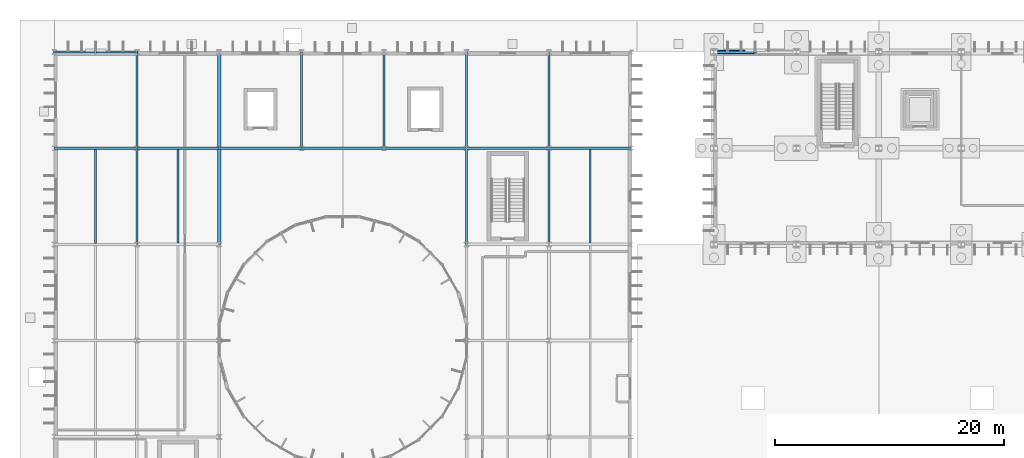
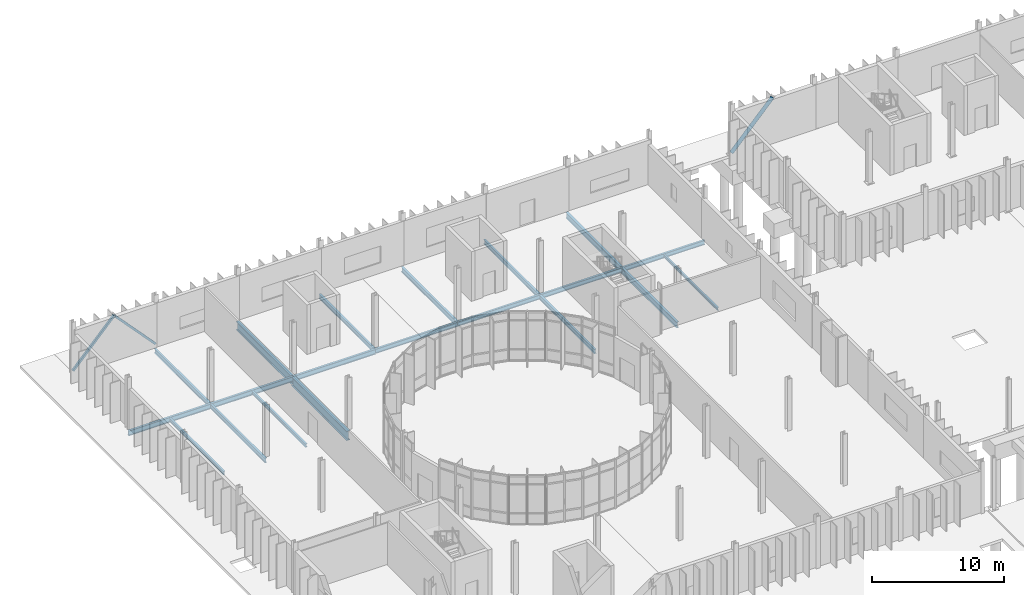
# One storey, part 43 of 118: 20 beams, 3 members.
"""IFC4 building model written with IfcOpenShell, lengths in metres."""

import ifcopenshell
import ifcopenshell.guid

model = None  # the IFC model being written
_history = None  # IfcOwnerHistory: only IFC2X3 demands one
_inside = {}  # id of a spatial element -> (the spatial element, [elements in it])
_under = {}  # id of a project, library or spatial element -> (it, [spatial elements below it])
_declared = {}  # id of a project -> (the project, [libraries it declares])
_typed = {}  # id of a type object -> (the type object, [elements of that type])
_made_of = {}  # id of a material, layer set ... -> (it, [elements and type objects made of it])


def new_model(schema):
    """Start an empty IFC model of exactly this schema.

    Asked for "IFC4X3", IfcOpenShell would pick the latest addendum, in which some entities
    have other attributes; the version numbers below select the first issue.
    IFC2X3 requires an IfcOwnerHistory on every rooted entity: one is made here for all.
    """
    global model, _history
    if schema == "IFC4X3":
        model = ifcopenshell.file(schema_version=(4, 3, 0, 0))
    else:
        model = ifcopenshell.file(schema=schema)
    _inside.clear()
    _under.clear()
    _declared.clear()
    _typed.clear()
    _made_of.clear()
    _history = None
    if model.schema == "IFC2X3":
        org = make("IfcOrganization", Name="unknown")
        user = make(
            "IfcPersonAndOrganization",
            ThePerson=make("IfcPerson", FamilyName="unknown"),
            TheOrganization=org,
        )
        app = make(
            "IfcApplication",
            ApplicationDeveloper=org,
            Version="unknown",
            ApplicationFullName="unknown",
            ApplicationIdentifier="unknown",
        )
        _history = make(
            "IfcOwnerHistory",
            OwningUser=user,
            OwningApplication=app,
            ChangeAction="ADDED",
            CreationDate=0,
        )
    return model


def make(cls, **values):
    """One entity of the class cls with the attributes given. An attribute that is None is left unset."""
    return model.create_entity(
        cls, **{name: value for name, value in values.items() if value is not None}
    )


def rooted(cls, **values):
    """An entity with a GlobalId (a new one), such as an element, a storey or a relation."""
    return make(cls, GlobalId=ifcopenshell.guid.new(), OwnerHistory=_history, **values)


def si_unit(unit_type, name, prefix=None):
    """IfcSIUnit, for example si_unit("LENGTHUNIT", "METRE", prefix="MILLI")."""
    return make("IfcSIUnit", UnitType=unit_type, Prefix=prefix, Name=name)


def assignment(units):
    """IfcUnitAssignment: the units of a project."""
    return None if units is None else make("IfcUnitAssignment", Units=units)


def point(xyz):
    """IfcCartesianPoint."""
    return None if xyz is None else make("IfcCartesianPoint", Coordinates=xyz)


def direction(xyz):
    """IfcDirection."""
    return None if xyz is None else make("IfcDirection", DirectionRatios=xyz)


def frame(location, z_axis=None, x_axis=None):
    """IfcAxis2Placement3D, a coordinate frame: its origin and axes. An axis left out is left unset."""
    return make(
        "IfcAxis2Placement3D",
        Location=point(location),
        Axis=direction(z_axis),
        RefDirection=direction(x_axis),
    )


def frame_2d(location, x_axis=None):
    """IfcAxis2Placement2D, a coordinate frame in the plane: its origin and x axis."""
    return make(
        "IfcAxis2Placement2D", Location=point(location), RefDirection=direction(x_axis)
    )


def origin():
    """The frame at (0, 0, 0) with its axes left unset."""
    return frame((0.0, 0.0, 0.0))


def origin_2d():
    """The frame at (0, 0) in the plane with its x axis left unset."""
    return frame_2d((0.0, 0.0))


def place(relative_to, where):
    """IfcLocalPlacement: puts the frame where relative to a parent placement (None: the world)."""
    return make(
        "IfcLocalPlacement", PlacementRelTo=relative_to, RelativePlacement=where
    )


def context(
    kind, dimensions, precision=None, world=None, true_north=None, identifier=None
):
    """IfcGeometricRepresentationContext, for example the 3D "Model" context."""
    return make(
        "IfcGeometricRepresentationContext",
        ContextIdentifier=identifier,
        ContextType=kind,
        CoordinateSpaceDimension=dimensions,
        Precision=precision,
        WorldCoordinateSystem=world,
        TrueNorth=true_north,
    )


def subcontext(parent, identifier, kind, view, scale=None):
    """IfcGeometricRepresentationSubContext, for example "Body" below "Model"."""
    return make(
        "IfcGeometricRepresentationSubContext",
        ContextIdentifier=identifier,
        ContextType=kind,
        ParentContext=parent,
        TargetScale=scale,
        TargetView=view,
    )


def project(units=None, contexts=None):
    """IfcProject with its units and contexts."""
    return rooted(
        "IfcProject",
        Name="project",
        RepresentationContexts=contexts,
        UnitsInContext=assignment(units),
    )


def spatial(cls, under=None, at=None, **own):
    """A site, building, storey or space (cls), placed at a placement, below another one or the project."""
    s = rooted(cls, ObjectPlacement=at, **own)
    if under is not None:
        _under.setdefault(under.id(), (under, []))[1].append(s)
    return s


def profile(cls, at=None, kind="AREA", **sizes):
    """A parametric profile (cls). Its sizes go by their IFC names, for example OverallWidth=200.0."""
    return make(cls, ProfileType=kind, Position=at, **sizes)


def hollow_rectangle(**sizes):
    """IfcRectangleHollowProfileDef."""
    return profile("IfcRectangleHollowProfileDef", **sizes)


def hollow_circle(**sizes):
    """IfcCircleHollowProfileDef."""
    return profile("IfcCircleHollowProfileDef", **sizes)


def i_section(**sizes):
    """IfcIShapeProfileDef."""
    return profile("IfcIShapeProfileDef", **sizes)


def extrude(swept, where, along, depth):
    """IfcExtrudedAreaSolid: the profile swept, set in the frame where, extruded along a direction by depth."""
    return make(
        "IfcExtrudedAreaSolid",
        SweptArea=swept,
        Position=where,
        ExtrudedDirection=direction(along),
        Depth=depth,
    )


def shape(context_of_items, identifier, shape_type, items):
    """IfcShapeRepresentation: the items that make up one representation, for example the "Body"."""
    return make(
        "IfcShapeRepresentation",
        ContextOfItems=context_of_items,
        RepresentationIdentifier=identifier,
        RepresentationType=shape_type,
        Items=items,
    )


def material(Name=None, Category=None):
    """IfcMaterial."""
    return make("IfcMaterial", Name=Name, Category=Category)


def material_profile(
    of_material, cross_section, Name=None, Category=None, Priority=None
):
    """IfcMaterialProfile: a cross section and its material."""
    return make(
        "IfcMaterialProfile",
        Name=Name,
        Material=of_material,
        Profile=cross_section,
        Priority=Priority,
        Category=Category,
    )


def profile_set(profiles, Name=None, composite=None):
    """IfcMaterialProfileSet."""
    return make(
        "IfcMaterialProfileSet",
        Name=Name,
        MaterialProfiles=profiles,
        CompositeProfile=composite,
    )


def made_of(thing, what):
    """Note that an element or type object is made of a material, layer set ...; save() writes the relation."""
    if what is not None:
        _made_of.setdefault(what.id(), (what, []))[1].append(thing)
    return thing


def type_object(cls, material=None, **own):
    """A type object (cls), such as IfcWallType, which elements share."""
    return made_of(rooted(cls, **own), material)


def element(
    cls,
    number,
    at=None,
    inside=None,
    cuts=None,
    type_object=None,
    material=None,
    context=None,
    identifier="Body",
    shape_type=None,
    held_by="IfcProductDefinitionShape",
    body=None,
    shapes=None,
    **own,
):
    """One element of the class cls, such as IfcWall. Its Tag is "e" and its number.

    at: its placement. inside: the storey or other place that contains it. cuts: it is an
    opening in that element (IfcRelVoidsElement). A single representation is given by context,
    identifier, shape_type and body (its items); several are given by shapes. held_by: the class
    of the entity that holds the representations. save() writes the other relations.
    """
    e = rooted(cls, Tag="e%d" % number, ObjectPlacement=at, **own)
    if body is not None:
        shapes = [shape(context, identifier, shape_type, body)]
    if shapes is not None:
        e.Representation = make(held_by, Representations=shapes)
    if inside is not None:
        _inside.setdefault(inside.id(), (inside, []))[1].append(e)
    if cuts is not None:
        rooted(
            "IfcRelVoidsElement", RelatingBuildingElement=cuts, RelatedOpeningElement=e
        )
    if type_object is not None:
        _typed.setdefault(type_object.id(), (type_object, []))[1].append(e)
    return made_of(e, material)


def aggregate(whole, parts):
    """IfcRelAggregates: a whole, such as a stair, and the parts it consists of."""
    return rooted("IfcRelAggregates", RelatingObject=whole, RelatedObjects=parts)


def save(model, path):
    """Write the relations noted so far, then the file.

    IfcRelAggregates (storeys below a building ...), IfcRelContainedInSpatialStructure (elements
    in a storey), IfcRelDefinesByType, IfcRelAssociatesMaterial and IfcRelDeclares: one each for
    every whole, place, type object, material and project.
    """
    for whole, parts in _under.values():
        aggregate(whole, parts)
    for where, things in _inside.values():
        rooted(
            "IfcRelContainedInSpatialStructure",
            RelatedElements=things,
            RelatingStructure=where,
        )
    for kind, things in _typed.values():
        rooted("IfcRelDefinesByType", RelatedObjects=things, RelatingType=kind)
    for what, things in _made_of.values():
        rooted("IfcRelAssociatesMaterial", RelatedObjects=things, RelatingMaterial=what)
    for by, libraries in _declared.values():
        rooted("IfcRelDeclares", RelatingContext=by, RelatedDefinitions=libraries)
    model.write(path)


model = new_model("IFC4")

# Units and contexts
model_context = context("Model", 3, precision=1e-05, world=origin(), true_north=direction((0.0, 1.0)))
body_context = subcontext(model_context, "Body", "Model", "MODEL_VIEW")
ifc_project = project(units=[si_unit("LENGTHUNIT", "METRE"), si_unit("AREAUNIT", "SQUARE_METRE"), si_unit("VOLUMEUNIT", "CUBIC_METRE"), si_unit("PLANEANGLEUNIT", "RADIAN"), si_unit("MASSUNIT", "GRAM", prefix="KILO")], contexts=[model_context])

# Site, building, storey
site_placement = place(None, origin())
site = spatial("IfcSite", under=ifc_project, at=site_placement, CompositionType="ELEMENT")
building_placement = place(site_placement, origin())
building = spatial("IfcBuilding", under=site, at=building_placement, Name="Qelthora Terrace Specialist Clinic", CompositionType="ELEMENT")
storey_placement = place(building_placement, origin())
storey = spatial("IfcBuildingStorey", under=building, at=storey_placement, Name="L00", CompositionType="ELEMENT", Elevation=0.0)

# Beams
ifc_material = material(Name="Steel S355", Category="steel")
ifc_material_profile_1 = material_profile(ifc_material, i_section(OverallWidth=0.178955078125, OverallDepth=0.409912109375, WebThickness=0.0087890625, FlangeThickness=0.014404296875, FilletRadius=0.011962890625, at=origin_2d()), Name="W410X67")
ifc_profile_set_1 = profile_set([ifc_material_profile_1], Name="Steel S355")
beam_type_1 = type_object("IfcBeamType", Name="BM-W410X67", PredefinedType="BEAM", material=ifc_profile_set_1)
for number, where, z_axis, x_axis, name in (
    (1, (28.800048828125, 100.800048828125, -0.455078125), (1.0, 0.0, 0.0), (0.0, 1.0, 0.0), "Girder BMX-L00-0066"),
    (2, (43.199951171875, 100.800048828125, -0.455078125), (1.0, 0.0, 0.0), (0.0, 1.0, 0.0), "Girder BMX-L00-0068"),
):
    element("IfcBeam", number, at=place(storey_placement, frame(where, z_axis=z_axis, x_axis=x_axis)), inside=storey, type_object=beam_type_1, Name=name, PredefinedType="BEAM", context=body_context, shape_type="SweptSolid", body=[
        extrude(i_section(OverallWidth=0.178955078125, OverallDepth=0.409912109375, WebThickness=0.0087890625, FlangeThickness=0.014404296875, FilletRadius=0.011962890625, at=origin_2d()), origin(), (0.0, 0.0, 1.0), 7.199951171875),
    ])
for number, where, z_axis, x_axis, name in (
    (3, (7.199951171875, 100.800048828125, -0.455078125), (0.0, 1.0, 0.0), (-1.0, 0.0, 0.0), "Girder BMY-L00-0080"),
    (4, (21.60009765625, 100.800048828125, -0.455078125), (0.0, 1.0, 0.0), (-1.0, 0.0, 0.0), "Girder BMY-L00-0100"),
    (5, (36.0, 100.800048828125, -0.455078125), (0.0, 1.0, 0.0), (-1.0, 0.0, 0.0), "Girder BMY-L00-0120"),
):
    element("IfcBeam", number, at=place(storey_placement, frame(where, z_axis=z_axis, x_axis=x_axis)), inside=storey, type_object=beam_type_1, Name=name, PredefinedType="BEAM", context=body_context, shape_type="SweptSolid", body=[
        extrude(i_section(OverallWidth=0.178955078125, OverallDepth=0.409912109375, WebThickness=0.0087890625, FlangeThickness=0.014404296875, FilletRadius=0.011962890625, at=origin_2d()), origin(), (0.0, 0.0, 1.0), 8.39990234375),
    ])
ifc_material_profile_2 = material_profile(ifc_material, i_section(OverallWidth=0.179931640625, OverallDepth=0.4130859375, WebThickness=0.009765625, FlangeThickness=0.01611328125, FilletRadius=0.011962890625, at=origin_2d()), Name="W410X75")
ifc_profile_set_2 = profile_set([ifc_material_profile_2], Name="Steel S355")
beam_type_2 = type_object("IfcBeamType", Name="BM-W410X75", PredefinedType="BEAM", material=ifc_profile_set_2)
for number, where, z_axis, x_axis, name in (
    (6, (21.60009765625, 100.800048828125, -0.45654296875), (1.0, 0.0, 0.0), (0.0, 1.0, 0.0), "Girder BMX-L00-0065"),
    (7, (36.0, 100.800048828125, -0.45654296875), (1.0, 0.0, 0.0), (0.0, 1.0, 0.0), "Girder BMX-L00-0067"),
):
    element("IfcBeam", number, at=place(storey_placement, frame(where, z_axis=z_axis, x_axis=x_axis)), inside=storey, type_object=beam_type_2, Name=name, PredefinedType="BEAM", context=body_context, shape_type="SweptSolid", body=[
        extrude(i_section(OverallWidth=0.179931640625, OverallDepth=0.4130859375, WebThickness=0.009765625, FlangeThickness=0.01611328125, FilletRadius=0.011962890625, at=origin_2d()), origin(), (0.0, 0.0, 1.0), 7.199951171875),
    ])
for number, where, z_axis, x_axis, name in (
    (8, (7.199951171875, 92.39990234375, -0.45654296875), (0.0, 1.0, 0.0), (-1.0, 0.0, 0.0), "Girder BMY-L00-0079"),
    (9, (36.0, 92.39990234375, -0.45654296875), (0.0, 1.0, 0.0), (-1.0, 0.0, 0.0), "Girder BMY-L00-0119"),
):
    element("IfcBeam", number, at=place(storey_placement, frame(where, z_axis=z_axis, x_axis=x_axis)), inside=storey, type_object=beam_type_2, Name=name, PredefinedType="BEAM", context=body_context, shape_type="SweptSolid", body=[
        extrude(i_section(OverallWidth=0.179931640625, OverallDepth=0.4130859375, WebThickness=0.009765625, FlangeThickness=0.01611328125, FilletRadius=0.011962890625, at=origin_2d()), origin(), (0.0, 0.0, 1.0), 8.400146484375),
    ])
ifc_material_profile_3 = material_profile(ifc_material, i_section(OverallWidth=0.19091796875, OverallDepth=0.4599609375, WebThickness=0.010009765625, FlangeThickness=0.01611328125, FilletRadius=0.012939453125, at=origin_2d()), Name="W460X82")
ifc_profile_set_3 = profile_set([ifc_material_profile_3], Name="Steel S355")
beam_type_3 = type_object("IfcBeamType", Name="BM-W460X82", PredefinedType="BEAM", material=ifc_profile_set_3)
beam_1_placement = place(storey_placement, frame((14.39990234375, 100.800048828125, -0.47998046875), z_axis=(1.0, 0.0, 0.0), x_axis=(0.0, 1.0, 0.0)))
element("IfcBeam", 10, at=beam_1_placement, inside=storey, type_object=beam_type_3, Name="Girder BMX-L00-0064", PredefinedType="BEAM", context=body_context, shape_type="SweptSolid", body=[
    extrude(i_section(OverallWidth=0.19091796875, OverallDepth=0.4599609375, WebThickness=0.010009765625, FlangeThickness=0.01611328125, FilletRadius=0.012939453125, at=origin_2d()), origin(), (0.0, 0.0, 1.0), 7.2001953125),
])
beam_2_placement = place(storey_placement, frame((28.800048828125, 100.800048828125, -0.47998046875), z_axis=(0.0, 1.0, 0.0), x_axis=(-1.0, 0.0, 0.0)))
element("IfcBeam", 11, at=beam_2_placement, inside=storey, type_object=beam_type_3, Name="Girder BMY-L00-0108", PredefinedType="BEAM", context=body_context, shape_type="SweptSolid", body=[
    extrude(i_section(OverallWidth=0.19091796875, OverallDepth=0.4599609375, WebThickness=0.010009765625, FlangeThickness=0.01611328125, FilletRadius=0.012939453125, at=origin_2d()), origin(), (0.0, 0.0, 1.0), 8.39990234375),
])
ifc_material_profile_4 = material_profile(ifc_material, i_section(OverallWidth=0.193115234375, OverallDepth=0.466064453125, WebThickness=0.011474609375, FlangeThickness=0.01904296875, FilletRadius=0.012939453125, at=origin_2d()), Name="W460X97")
ifc_profile_set_4 = profile_set([ifc_material_profile_4], Name="Steel S355")
beam_type_4 = type_object("IfcBeamType", Name="BM-W460X97", PredefinedType="BEAM", material=ifc_profile_set_4)
beam_3_placement = place(storey_placement, frame((7.199951171875, 100.800048828125, -0.48291015625), z_axis=(1.0, 0.0, 0.0), x_axis=(0.0, 1.0, 0.0)))
element("IfcBeam", 12, at=beam_3_placement, inside=storey, type_object=beam_type_4, Name="Girder BMX-L00-0063", PredefinedType="BEAM", context=body_context, shape_type="SweptSolid", body=[
    extrude(i_section(OverallWidth=0.193115234375, OverallDepth=0.466064453125, WebThickness=0.011474609375, FlangeThickness=0.01904296875, FilletRadius=0.012939453125, at=origin_2d()), origin(), (0.0, 0.0, 1.0), 7.199951171875),
])
ifc_material_profile_5 = material_profile(ifc_material, i_section(OverallWidth=0.2099609375, OverallDepth=0.537109375, WebThickness=0.010986328125, FlangeThickness=0.017333984375, FilletRadius=0.013916015625, at=origin_2d()), Name="W530X101")
ifc_profile_set_5 = profile_set([ifc_material_profile_5], Name="Steel S355")
beam_type_5 = type_object("IfcBeamType", Name="BM-W530X101", PredefinedType="BEAM", material=ifc_profile_set_5)
beam_4_placement = place(storey_placement, frame((43.199951171875, 100.800048828125, -0.5185546875), z_axis=(0.0, 1.0, 0.0), x_axis=(-1.0, 0.0, 0.0)))
element("IfcBeam", 13, at=beam_4_placement, inside=storey, type_object=beam_type_5, Name="Girder BMY-L00-0126", PredefinedType="BEAM", context=body_context, shape_type="SweptSolid", body=[
    extrude(i_section(OverallWidth=0.2099609375, OverallDepth=0.537109375, WebThickness=0.010986328125, FlangeThickness=0.017333984375, FilletRadius=0.013916015625, at=origin_2d()), origin(), (0.0, 0.0, 1.0), 8.39990234375),
])
ifc_material_profile_6 = material_profile(ifc_material, i_section(OverallWidth=0.2119140625, OverallDepth=0.5439453125, WebThickness=0.01318359375, FlangeThickness=0.021240234375, FilletRadius=0.013916015625, at=origin_2d()), Name="W530X123")
ifc_profile_set_6 = profile_set([ifc_material_profile_6], Name="Steel S355")
beam_type_6 = type_object("IfcBeamType", Name="BM-W530X123", PredefinedType="BEAM", material=ifc_profile_set_6)
beam_5_placement = place(storey_placement, frame((43.199951171875, 92.39990234375, -0.52197265625), z_axis=(0.0, 1.0, 0.0), x_axis=(-1.0, 0.0, 0.0)))
element("IfcBeam", 14, at=beam_5_placement, inside=storey, type_object=beam_type_6, Name="Girder BMY-L00-0125", PredefinedType="BEAM", context=body_context, shape_type="SweptSolid", body=[
    extrude(i_section(OverallWidth=0.2119140625, OverallDepth=0.5439453125, WebThickness=0.01318359375, FlangeThickness=0.021240234375, FilletRadius=0.013916015625, at=origin_2d()), origin(), (0.0, 0.0, 1.0), 8.400146484375),
])
ifc_material_profile_7 = material_profile(ifc_material, i_section(OverallWidth=0.26806640625, OverallDepth=0.77001953125, WebThickness=0.015625, FlangeThickness=0.025390625, FilletRadius=0.01904296875, at=origin_2d()), Name="W760X196")
ifc_profile_set_7 = profile_set([ifc_material_profile_7], Name="Steel S355")
beam_type_7 = type_object("IfcBeamType", Name="BM-W760X196", PredefinedType="BEAM", material=ifc_profile_set_7)
beam_6_placement = place(storey_placement, frame((14.39990234375, 100.800048828125, -0.635009765625), z_axis=(0.0, 1.0, 0.0), x_axis=(-1.0, 0.0, 0.0)))
element("IfcBeam", 15, at=beam_6_placement, inside=storey, type_object=beam_type_7, Name="Girder BMY-L00-0092", PredefinedType="BEAM", context=body_context, shape_type="SweptSolid", body=[
    extrude(i_section(OverallWidth=0.26806640625, OverallDepth=0.77001953125, WebThickness=0.015625, FlangeThickness=0.025390625, FilletRadius=0.01904296875, at=origin_2d()), origin(), (0.0, 0.0, 1.0), 8.39990234375),
])
ifc_material_profile_8 = material_profile(ifc_material, i_section(OverallWidth=0.2939453125, OverallDepth=0.85107421875, WebThickness=0.01611328125, FlangeThickness=0.02685546875, FilletRadius=0.02001953125, at=origin_2d()), Name="W840X226")
ifc_profile_set_8 = profile_set([ifc_material_profile_8], Name="Steel S355")
beam_type_8 = type_object("IfcBeamType", Name="BM-W840X226", PredefinedType="BEAM", material=ifc_profile_set_8)
beam_7_placement = place(storey_placement, frame((14.39990234375, 92.39990234375, -0.675537109375), z_axis=(0.0, 1.0, 0.0), x_axis=(-1.0, 0.0, 0.0)))
element("IfcBeam", 16, at=beam_7_placement, inside=storey, type_object=beam_type_8, Name="Girder BMY-L00-0091", PredefinedType="BEAM", context=body_context, shape_type="SweptSolid", body=[
    extrude(i_section(OverallWidth=0.2939453125, OverallDepth=0.85107421875, WebThickness=0.01611328125, FlangeThickness=0.02685546875, FilletRadius=0.02001953125, at=origin_2d()), origin(), (0.0, 0.0, 1.0), 8.400146484375),
])
ifc_material_profile_9 = material_profile(ifc_material, i_section(OverallWidth=0.14697265625, OverallDepth=0.261962890625, WebThickness=0.006591796875, FlangeThickness=0.01123046875, FilletRadius=0.009033203125, at=origin_2d()), Name="W250X39")
ifc_profile_set_9 = profile_set([ifc_material_profile_9], Name="Steel S355")
beam_type_9 = type_object("IfcBeamType", Name="JST-W250X39", PredefinedType="JOIST", material=ifc_profile_set_9)
beam_8_placement = place(storey_placement, frame((46.800048828125, 92.506103515625, -0.381103515625), z_axis=(0.0, 1.0, 0.0), x_axis=(-1.0, 0.0, 0.0)))
element("IfcBeam", 17, at=beam_8_placement, inside=storey, type_object=beam_type_9, Name="Composite floor joist JST-L00-0041", PredefinedType="JOIST", context=body_context, shape_type="SweptSolid", body=[
    extrude(i_section(OverallWidth=0.14697265625, OverallDepth=0.261962890625, WebThickness=0.006591796875, FlangeThickness=0.01123046875, FilletRadius=0.009033203125, at=origin_2d()), origin(), (0.0, 0.0, 1.0), 8.204345703125),
])
ifc_material_profile_10 = material_profile(ifc_material, i_section(OverallWidth=0.166015625, OverallDepth=0.31298828125, WebThickness=0.006591796875, FlangeThickness=0.01123046875, FilletRadius=0.010009765625, at=origin_2d()), Name="W310X45")
ifc_profile_set_10 = profile_set([ifc_material_profile_10], Name="Steel S355")
beam_type_10 = type_object("IfcBeamType", Name="JST-W310X45", PredefinedType="JOIST", material=ifc_profile_set_10)
beam_9_placement = place(storey_placement, frame((10.800048828125, 92.514892578125, -0.406494140625), z_axis=(0.0, 1.0, 0.0), x_axis=(-1.0, 0.0, 0.0)))
element("IfcBeam", 18, at=beam_9_placement, inside=storey, type_object=beam_type_10, Name="Composite floor joist JST-L00-0016", PredefinedType="JOIST", context=body_context, shape_type="SweptSolid", body=[
    extrude(i_section(OverallWidth=0.166015625, OverallDepth=0.31298828125, WebThickness=0.006591796875, FlangeThickness=0.01123046875, FilletRadius=0.010009765625, at=origin_2d()), origin(), (0.0, 0.0, 1.0), 8.188720703125),
])
ifc_material_profile_11 = material_profile(ifc_material, i_section(OverallWidth=0.1669921875, OverallDepth=0.31689453125, WebThickness=0.007568359375, FlangeThickness=0.01318359375, FilletRadius=0.010009765625, at=origin_2d()), Name="W310X52")
ifc_profile_set_11 = profile_set([ifc_material_profile_11], Name="Steel S355")
beam_type_11 = type_object("IfcBeamType", Name="JST-W310X52", PredefinedType="JOIST", material=ifc_profile_set_11)
beam_10_placement = place(storey_placement, frame((3.60009765625, 92.49560546875, -0.408447265625), z_axis=(0.0, 1.0, 0.0), x_axis=(-1.0, 0.0, 0.0)))
element("IfcBeam", 19, at=beam_10_placement, inside=storey, type_object=beam_type_11, Name="Composite floor joist JST-L00-0009", PredefinedType="JOIST", context=body_context, shape_type="SweptSolid", body=[
    extrude(i_section(OverallWidth=0.1669921875, OverallDepth=0.31689453125, WebThickness=0.007568359375, FlangeThickness=0.01318359375, FilletRadius=0.010009765625, at=origin_2d()), origin(), (0.0, 0.0, 1.0), 8.208984375),
])

# Members
ifc_material_profile_12 = material_profile(ifc_material, hollow_circle(Radius=0.16162109375, WallThickness=0.011962890625, at=origin_2d()), Name="CHS323X12")
ifc_profile_set_12 = profile_set([ifc_material_profile_12], Name="Steel S355")
member_type_1 = type_object("IfcMemberType", Name="MEM-BRACE-CHS323", PredefinedType="BRACE", material=ifc_profile_set_12)
member_placement = place(storey_placement, frame((57.60009765625, 109.199951171875, 0.179931640625), z_axis=(0.681078027728, 0.0, 0.732210844051), x_axis=(0.0, 1.0, 0.0)))
element("IfcMember", 20, at=member_placement, inside=storey, type_object=member_type_1, Name="Concentric seismic chevron brace B7-L00A", PredefinedType="BRACE", context=body_context, shape_type="SweptSolid", body=[
    extrude(hollow_circle(Radius=0.16162109375, WallThickness=0.011962890625, at=origin_2d()), origin(), (0.0, 0.0, 1.0), 5.28564453125),
])
ifc_material_profile_13 = material_profile(ifc_material, hollow_rectangle(XDim=0.179931640625, YDim=0.179931640625, WallThickness=0.010009765625, at=origin_2d()), Name="HSS180X180X10")
ifc_profile_set_13 = profile_set([ifc_material_profile_13], Name="Steel S355")
member_type_2 = type_object("IfcMemberType", Name="MEM-BRACE-HSS180", PredefinedType="BRACE", material=ifc_profile_set_13)
for number, where, z_axis, x_axis, name in (
    (21, (0.0, 109.199951171875, 0.179931640625), (0.681102790765, 0.0, 0.732187809522), (0.0, 1.0, 0.0), "Concentric seismic chevron brace B2-L00A"),
    (22, (7.199951171875, 109.199951171875, 0.179931640625), (-0.681078027728, 0.0, 0.732210844051), (0.0, -1.0, 0.0), "Concentric seismic chevron brace B2-L00B"),
):
    element("IfcMember", number, at=place(storey_placement, frame(where, z_axis=z_axis, x_axis=x_axis)), inside=storey, type_object=member_type_2, Name=name, PredefinedType="BRACE", context=body_context, shape_type="SweptSolid", body=[
        extrude(hollow_rectangle(XDim=0.179931640625, YDim=0.179931640625, WallThickness=0.010009765625, at=origin_2d()), origin(), (0.0, 0.0, 1.0), 5.28564453125),
    ])

# Beam
ifc_material_profile_14 = material_profile(ifc_material, i_section(OverallWidth=0.19091796875, OverallDepth=0.4599609375, WebThickness=0.010009765625, FlangeThickness=0.01611328125, FilletRadius=0.012939453125, at=origin_2d()), Name="W460X82")
ifc_profile_set_14 = profile_set([ifc_material_profile_14], Name="Steel S355")
beam_type_12 = type_object("IfcBeamType", Name="SPD-W460X82", PredefinedType="SPANDREL", material=ifc_profile_set_14)
beam_11_placement = place(storey_placement, frame((0.0, 100.800048828125, -0.47998046875), z_axis=(1.0, 0.0, 0.0), x_axis=(0.0, 1.0, 0.0)))
element("IfcBeam", 23, at=beam_11_placement, inside=storey, type_object=beam_type_12, Name="Girder BMX-L00-0062", PredefinedType="SPANDREL", context=body_context, shape_type="SweptSolid", body=[
    extrude(i_section(OverallWidth=0.19091796875, OverallDepth=0.4599609375, WebThickness=0.010009765625, FlangeThickness=0.01611328125, FilletRadius=0.012939453125, at=origin_2d()), origin(), (0.0, 0.0, 1.0), 7.199951171875),
])

save(model, "model.ifc")
